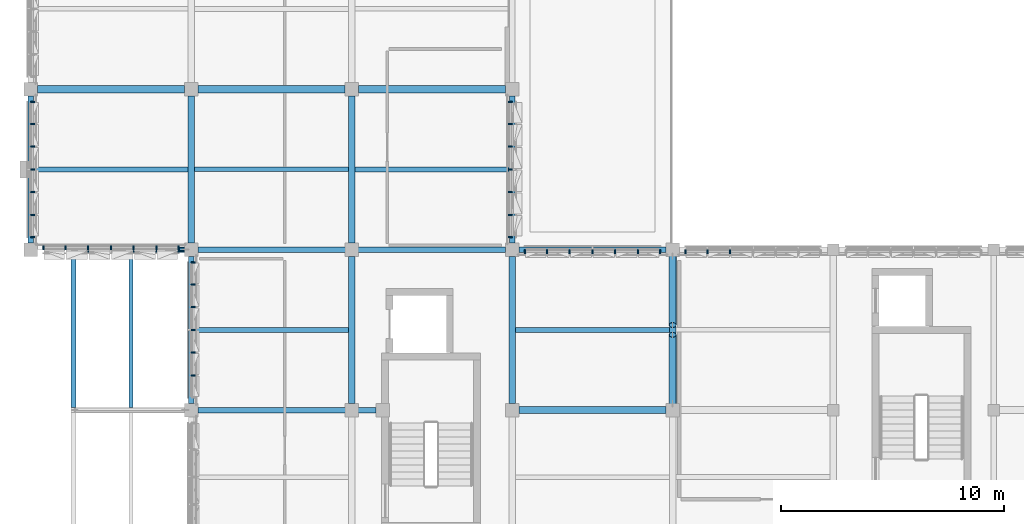
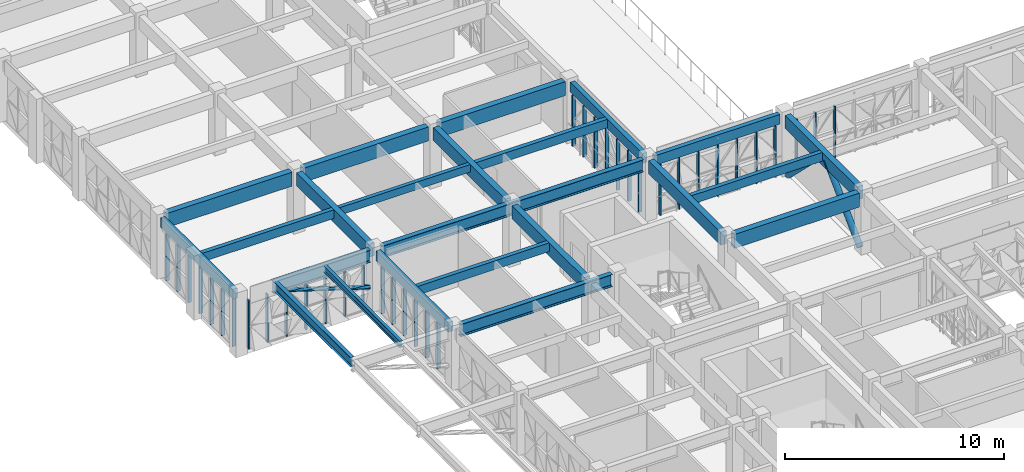
# One storey, part 7 of 99: 40 members, 23 beams, 6 elements without a shape of their own.
"""IFC4 building model written with IfcOpenShell, lengths in metres."""

from ifc_helpers import new_model, si_unit, direction, frame, origin, origin_2d, place, context, subcontext, project, spatial, rectangle, hollow_circle, i_section, extrude, material, material_profile, profile_set, type_object, element, aggregate, save


model = new_model("IFC4")

# Units and contexts
model_context = context("Model", 3, precision=1e-05, world=origin(), true_north=direction((0.0, 1.0)))
body_context = subcontext(model_context, "Body", "Model", "MODEL_VIEW")
ifc_project = project(units=[si_unit("LENGTHUNIT", "METRE"), si_unit("AREAUNIT", "SQUARE_METRE"), si_unit("VOLUMEUNIT", "CUBIC_METRE"), si_unit("PLANEANGLEUNIT", "RADIAN"), si_unit("MASSUNIT", "GRAM", prefix="KILO")], contexts=[model_context])

# Site, building, storey
site_placement = place(None, origin())
site = spatial("IfcSite", under=ifc_project, at=site_placement, CompositionType="ELEMENT")
building_placement = place(site_placement, origin())
building = spatial("IfcBuilding", under=site, at=building_placement, Name="Alvorim Cloister Faculty of Sciences", CompositionType="ELEMENT")
storey_placement = place(building_placement, frame((0.0, 0.0, 12.14990234375)))
storey = spatial("IfcBuildingStorey", under=building, at=storey_placement, Name="L03", CompositionType="ELEMENT", Elevation=12.14990234375)

# Beams
ifc_material_1 = material(Name="Glulam GL32h", Category="wood")
ifc_material_profile_1 = material_profile(ifc_material_1, rectangle(XDim=0.300048828125, YDim=0.719970703125, at=origin_2d()), Name="GL32-BM-300x720")
ifc_profile_set_1 = profile_set([ifc_material_profile_1], Name="Glulam GL32h")
beam_type_1 = type_object("IfcBeamType", Name="BM-GL-300x720", PredefinedType="BEAM", material=ifc_profile_set_1)
for number, where, z_axis, x_axis, name in (
    (1, (7.199951171875, 56.699951171875, 3.030029296875), (0.0, 1.0, 0.0), (-1.0, 0.0, 0.0), "L03 Primary Girder BM-1594"),
    (2, (14.39990234375, 49.5, 3.030029296875), (0.0, 1.0, 0.0), (-1.0, 0.0, 0.0), "L03 Primary Girder BM-1609"),
    (3, (14.39990234375, 56.699951171875, 3.030029296875), (0.0, 1.0, 0.0), (-1.0, 0.0, 0.0), "L03 Primary Girder BM-1610"),
    (4, (21.60009765625, 49.5, 3.030029296875), (0.0, 1.0, 0.0), (-1.0, 0.0, 0.0), "L03 Primary Girder BM-1625"),
    (5, (28.800048828125, 49.5, 3.030029296875), (0.0, 1.0, 0.0), (-1.0, 0.0, 0.0), "L03 Primary Girder BM-1641"),
):
    element("IfcBeam", number, at=place(storey_placement, frame(where, z_axis=z_axis, x_axis=x_axis)), inside=storey, type_object=beam_type_1, Name=name, PredefinedType="BEAM", context=body_context, shape_type="SweptSolid", body=[
        extrude(rectangle(XDim=0.300048828125, YDim=0.719970703125, at=origin_2d()), origin(), (0.0, 0.0, 1.0), 6.60009765625),
    ])
ifc_material_profile_2 = material_profile(ifc_material_1, rectangle(XDim=0.320068359375, YDim=0.780029296875, at=origin_2d()), Name="GL32-BM-320x780")
ifc_profile_set_2 = profile_set([ifc_material_profile_2], Name="Glulam GL32h")
beam_type_2 = type_object("IfcBeamType", Name="BM-GL-320x780", PredefinedType="BEAM", material=ifc_profile_set_2)
beam_1_placement = place(storey_placement, frame((21.89990234375, 49.199951171875, 3.0), z_axis=(1.0, 0.0, 0.0), x_axis=(0.0, 1.0, 0.0)))
element("IfcBeam", 6, at=beam_1_placement, inside=storey, type_object=beam_type_2, Name="L03 Primary Beam BM-1542", PredefinedType="BEAM", context=body_context, shape_type="SweptSolid", body=[
    extrude(rectangle(XDim=0.320068359375, YDim=0.780029296875, at=origin_2d()), origin(), (0.0, 0.0, 1.0), 6.60009765625),
])
beam_2_placement = place(storey_placement, frame((0.300048828125, 63.60009765625, 3.0), z_axis=(1.0, 0.0, 0.0), x_axis=(0.0, 1.0, 0.0)))
element("IfcBeam", 7, at=beam_2_placement, inside=storey, type_object=beam_type_2, Name="L03 Primary Beam BM-1553", PredefinedType="BEAM", context=body_context, shape_type="SweptSolid", body=[
    extrude(rectangle(XDim=0.320068359375, YDim=0.780029296875, at=origin_2d()), origin(), (0.0, 0.0, 1.0), 6.599853515625),
])
for number, where, z_axis, x_axis, name in (
    (8, (7.5, 63.60009765625, 3.0), (1.0, 0.0, 0.0), (0.0, 1.0, 0.0), "L03 Primary Beam BM-1554"),
    (9, (14.699951171875, 63.60009765625, 3.0), (1.0, 0.0, 0.0), (0.0, 1.0, 0.0), "L03 Primary Beam BM-1555"),
):
    element("IfcBeam", number, at=place(storey_placement, frame(where, z_axis=z_axis, x_axis=x_axis)), inside=storey, type_object=beam_type_2, Name=name, PredefinedType="BEAM", context=body_context, shape_type="SweptSolid", body=[
        extrude(rectangle(XDim=0.320068359375, YDim=0.780029296875, at=origin_2d()), origin(), (0.0, 0.0, 1.0), 6.60009765625),
    ])
ifc_material_2 = material(Name="Glulam GL28h", Category="wood")
ifc_material_profile_3 = material_profile(ifc_material_2, rectangle(XDim=0.199951171875, YDim=0.419921875, at=origin_2d()), Name="GL28-JST-200x420")
ifc_profile_set_3 = profile_set([ifc_material_profile_3], Name="Glulam GL28h")
beam_type_3 = type_object("IfcBeamType", Name="BM-JST-GL-200x420", PredefinedType="JOIST", material=ifc_profile_set_3)
beam_3_placement = place(storey_placement, frame((7.35009765625, 60.0, 3.18017578125), z_axis=(1.0, 0.0, 0.0), x_axis=(0.0, 1.0, 0.0)))
element("IfcBeam", 10, at=beam_3_placement, inside=storey, type_object=beam_type_3, Name="L03 Secondary Floor Joist BM-1684", PredefinedType="JOIST", context=body_context, shape_type="SweptSolid", body=[
    extrude(rectangle(XDim=0.199951171875, YDim=0.419921875, at=origin_2d()), origin(), (0.0, 0.0, 1.0), 6.89990234375),
])
ifc_material_profile_4 = material_profile(ifc_material_2, rectangle(XDim=0.219970703125, YDim=0.47998046875, at=origin_2d()), Name="GL28-JST-220x480")
ifc_profile_set_4 = profile_set([ifc_material_profile_4], Name="Glulam GL28h")
beam_type_4 = type_object("IfcBeamType", Name="BM-JST-GL-220x480", PredefinedType="JOIST", material=ifc_profile_set_4)
for number, where, z_axis, x_axis, name in (
    (11, (0.1201171875, 60.0, 3.150146484375), (1.0, 0.0, 0.0), (0.0, 1.0, 0.0), "L03 Secondary Floor Joist BM-1668"),
    (12, (7.320068359375, 52.800048828125, 3.150146484375), (1.0, 0.0, 0.0), (0.0, 1.0, 0.0), "L03 Secondary Floor Joist BM-1683"),
    (13, (14.550048828125, 60.0, 3.150146484375), (1.0, 0.0, 0.0), (0.0, 1.0, 0.0), "L03 Secondary Floor Joist BM-1694"),
):
    element("IfcBeam", number, at=place(storey_placement, frame(where, z_axis=z_axis, x_axis=x_axis)), inside=storey, type_object=beam_type_4, Name=name, PredefinedType="JOIST", context=body_context, shape_type="SweptSolid", body=[
        extrude(rectangle(XDim=0.219970703125, YDim=0.47998046875, at=origin_2d()), origin(), (0.0, 0.0, 1.0), 6.929931640625),
    ])
beam_4_placement = place(storey_placement, frame((21.75, 52.800048828125, 3.150146484375), z_axis=(1.0, 0.0, 0.0), x_axis=(0.0, 1.0, 0.0)))
element("IfcBeam", 14, at=beam_4_placement, inside=storey, type_object=beam_type_4, Name="L03 Secondary Floor Joist BM-1707", PredefinedType="JOIST", context=body_context, shape_type="SweptSolid", body=[
    extrude(rectangle(XDim=0.219970703125, YDim=0.47998046875, at=origin_2d()), origin(), (0.0, 0.0, 1.0), 6.89990234375),
])
ifc_material_profile_5 = material_profile(ifc_material_2, rectangle(XDim=0.239990234375, YDim=0.5400390625, at=origin_2d()), Name="GL28-SPD-240x540")
ifc_profile_set_5 = profile_set([ifc_material_profile_5], Name="Glulam GL28h")
beam_type_5 = type_object("IfcBeamType", Name="BM-SPD-GL-240x540", PredefinedType="SPANDREL", material=ifc_profile_set_5)
for number, where, z_axis, x_axis, name in (
    (15, (21.89990234375, 56.39990234375, 3.1201171875), (1.0, 0.0, 0.0), (0.0, 1.0, 0.0), "L03 Primary Beam BM-1547"),
    (16, (0.0, 56.699951171875, 3.1201171875), (0.0, 1.0, 0.0), (-1.0, 0.0, 0.0), "L03 Primary Girder BM-1578"),
    (17, (7.199951171875, 49.5, 3.1201171875), (0.0, 1.0, 0.0), (-1.0, 0.0, 0.0), "L03 Primary Girder BM-1593"),
    (18, (21.60009765625, 56.699951171875, 3.1201171875), (0.0, 1.0, 0.0), (-1.0, 0.0, 0.0), "L03 Primary Girder BM-1626"),
):
    element("IfcBeam", number, at=place(storey_placement, frame(where, z_axis=z_axis, x_axis=x_axis)), inside=storey, type_object=beam_type_5, Name=name, PredefinedType="SPANDREL", context=body_context, shape_type="SweptSolid", body=[
        extrude(rectangle(XDim=0.239990234375, YDim=0.5400390625, at=origin_2d()), origin(), (0.0, 0.0, 1.0), 6.60009765625),
    ])
ifc_material_3 = material(Name="Steel ASTM A572 Grade 50", Category="steel")
ifc_material_profile_6 = material_profile(ifc_material_3, i_section(OverallWidth=0.1708984375, OverallDepth=0.35498046875, WebThickness=0.007080078125, FlangeThickness=0.01171875, FilletRadius=0.012939453125, at=origin_2d()), Name="W360x51.0")
ifc_profile_set_6 = profile_set([ifc_material_profile_6], Name="Steel ASTM A572 Grade 50")
beam_type_6 = type_object("IfcBeamType", Name="BM-STL-W360", PredefinedType="JOIST", material=ifc_profile_set_6)
beam_5_placement = place(storey_placement, frame((4.5, 49.31005859375, 3.212646484375), z_axis=(0.0, 1.0, 0.0), x_axis=(-1.0, 0.0, 0.0)))
element("IfcBeam", 19, at=beam_5_placement, inside=storey, type_object=beam_type_6, Name="L03 Cantilever Deck Joist BM-0082", PredefinedType="JOIST", context=body_context, shape_type="SweptSolid", body=[
    extrude(i_section(OverallWidth=0.1708984375, OverallDepth=0.35498046875, WebThickness=0.007080078125, FlangeThickness=0.01171875, FilletRadius=0.012939453125, at=origin_2d()), origin(), (0.0, 0.0, 1.0), 6.97998046875),
])
ifc_material_profile_7 = material_profile(ifc_material_3, i_section(OverallWidth=0.208984375, OverallDepth=0.532958984375, WebThickness=0.01025390625, FlangeThickness=0.015625, FilletRadius=0.01611328125, at=origin_2d()), Name="W530x92.0")
ifc_profile_set_7 = profile_set([ifc_material_profile_7], Name="Steel ASTM A572 Grade 50")
beam_type_7 = type_object("IfcBeamType", Name="BM-STL-W530", PredefinedType="BEAM", material=ifc_profile_set_7)
beam_6_placement = place(storey_placement, frame((1.919921875, 49.31005859375, 3.12353515625), z_axis=(0.0, 1.0, 0.0), x_axis=(-1.0, 0.0, 0.0)))
element("IfcBeam", 20, at=beam_6_placement, inside=storey, type_object=beam_type_7, Name="L03 Cantilever Tip Header Girder BM-0081", PredefinedType="BEAM", context=body_context, shape_type="SweptSolid", body=[
    extrude(i_section(OverallWidth=0.208984375, OverallDepth=0.532958984375, WebThickness=0.01025390625, FlangeThickness=0.015625, FilletRadius=0.01611328125, at=origin_2d()), origin(), (0.0, 0.0, 1.0), 6.97998046875),
])
ifc_material_profile_8 = material_profile(ifc_material_3, i_section(OverallWidth=0.25390625, OverallDepth=0.68408203125, WebThickness=0.012451171875, FlangeThickness=0.01904296875, FilletRadius=0.01904296875, at=origin_2d()), Name="W690x140.0")
ifc_profile_set_8 = profile_set([ifc_material_profile_8], Name="Steel ASTM A572 Grade 50")
beam_type_8 = type_object("IfcBeamType", Name="BM-STL-W690", PredefinedType="BEAM", material=ifc_profile_set_8)
beam_7_placement = place(storey_placement, frame((7.5, 49.199951171875, 3.048095703125), z_axis=(1.0, 0.0, 0.0), x_axis=(0.0, 1.0, 0.0)))
element("IfcBeam", 21, at=beam_7_placement, inside=storey, type_object=beam_type_8, Name="L03 Cantilever Backspan Girder BM-0069", PredefinedType="BEAM", context=body_context, shape_type="SweptSolid", body=[
    extrude(i_section(OverallWidth=0.25390625, OverallDepth=0.68408203125, WebThickness=0.012451171875, FlangeThickness=0.01904296875, FilletRadius=0.01904296875, at=origin_2d()), origin(), (0.0, 0.0, 1.0), 8.0),
])
beam_8_placement = place(storey_placement, frame((7.5, 56.39990234375, 3.048095703125), z_axis=(1.0, 0.0, 0.0), x_axis=(0.0, 1.0, 0.0)))
element("IfcBeam", 22, at=beam_8_placement, inside=storey, type_object=beam_type_8, Name="L03 Cantilever Backspan Girder BM-0071", PredefinedType="BEAM", context=body_context, shape_type="SweptSolid", body=[
    extrude(i_section(OverallWidth=0.25390625, OverallDepth=0.68408203125, WebThickness=0.012451171875, FlangeThickness=0.01904296875, FilletRadius=0.01904296875, at=origin_2d()), origin(), (0.0, 0.0, 1.0), 13.800048828125),
])
beam_9_placement = place(storey_placement, frame((1.800048828125, 56.39990234375, 3.048095703125), z_axis=(1.0, 0.0, 0.0), x_axis=(0.0, 1.0, 0.0)))
element("IfcBeam", 23, at=beam_9_placement, inside=storey, type_object=beam_type_8, Name="L03 Cantilever Overhang Girder BM-0072", PredefinedType="BEAM", context=body_context, shape_type="SweptSolid", body=[
    extrude(i_section(OverallWidth=0.25390625, OverallDepth=0.68408203125, WebThickness=0.012451171875, FlangeThickness=0.01904296875, FilletRadius=0.01904296875, at=origin_2d()), origin(), (0.0, 0.0, 1.0), 5.099853515625),
])

# Curtain wall, members
ifc_material_4 = material(Name="Aluminium and Low-E Glass Curtain Wall", Category="aluminium")
curtain_wall_type_1 = type_object("IfcCurtainWallType", Name="CW-TRI-6120x2850", PredefinedType="USERDEFINED", material=ifc_material_4)
curtain_wall_1_placement = place(storey_placement, origin())
curtain_wall_1 = element("IfcCurtainWall", 24, at=curtain_wall_1_placement, inside=storey, type_object=curtain_wall_type_1, Name="L03 Diagonal Cassette Curtain Wall CW-0104", ObjectType="UNITISED CURTAIN WALL", PredefinedType="USERDEFINED")
ifc_material_5 = material(Name="Aluminium Alloy 6063-T6", Category="aluminium")
ifc_material_profile_9 = material_profile(ifc_material_5, rectangle(XDim=0.06494140625, YDim=0.179931640625, at=origin_2d()), Name="ALU-MUL-65x180")
ifc_profile_set_9 = profile_set([ifc_material_profile_9], Name="Aluminium Alloy 6063-T6")
member_type_1 = type_object("IfcMemberType", Name="CW-MUL-65x180", PredefinedType="MULLION", material=ifc_profile_set_9)
member_1_placement = place(storey_placement, frame((7.2900390625, 50.760009765625, 0.0), z_axis=(0.0, 0.0, 1.0), x_axis=(0.0, 1.0, 0.0)))
member_1 = element("IfcMember", 25, at=member_1_placement, type_object=member_type_1, Name="CW-0104 Mullion 2", PredefinedType="MULLION", context=body_context, shape_type="SweptSolid", body=[
    extrude(rectangle(XDim=0.06494140625, YDim=0.179931640625, at=origin_2d()), origin(), (0.0, 0.0, 1.0), 2.85009765625),
])
member_2_placement = place(storey_placement, frame((7.2900390625, 51.780029296875, 0.0), z_axis=(0.0, 0.0, 1.0), x_axis=(0.0, 1.0, 0.0)))
member_2 = element("IfcMember", 26, at=member_2_placement, type_object=member_type_1, Name="CW-0104 Mullion 3", PredefinedType="MULLION", context=body_context, shape_type="SweptSolid", body=[
    extrude(rectangle(XDim=0.06494140625, YDim=0.179931640625, at=origin_2d()), origin(), (0.0, 0.0, 1.0), 2.85009765625),
])
member_3_placement = place(storey_placement, frame((7.2900390625, 52.800048828125, 0.0), z_axis=(0.0, 0.0, 1.0), x_axis=(0.0, 1.0, 0.0)))
member_3 = element("IfcMember", 27, at=member_3_placement, type_object=member_type_1, Name="CW-0104 Mullion 4", PredefinedType="MULLION", context=body_context, shape_type="SweptSolid", body=[
    extrude(rectangle(XDim=0.06494140625, YDim=0.179931640625, at=origin_2d()), origin(), (0.0, 0.0, 1.0), 2.85009765625),
])
member_4_placement = place(storey_placement, frame((7.2900390625, 53.820068359375, 0.0), z_axis=(0.0, 0.0, 1.0), x_axis=(0.0, 1.0, 0.0)))
member_4 = element("IfcMember", 28, at=member_4_placement, type_object=member_type_1, Name="CW-0104 Mullion 5", PredefinedType="MULLION", context=body_context, shape_type="SweptSolid", body=[
    extrude(rectangle(XDim=0.06494140625, YDim=0.179931640625, at=origin_2d()), origin(), (0.0, 0.0, 1.0), 2.85009765625),
])
member_5_placement = place(storey_placement, frame((7.2900390625, 54.840087890625, 0.0), z_axis=(0.0, 0.0, 1.0), x_axis=(0.0, 1.0, 0.0)))
member_5 = element("IfcMember", 29, at=member_5_placement, type_object=member_type_1, Name="CW-0104 Mullion 6", PredefinedType="MULLION", context=body_context, shape_type="SweptSolid", body=[
    extrude(rectangle(XDim=0.06494140625, YDim=0.179931640625, at=origin_2d()), origin(), (0.0, 0.0, 1.0), 2.85009765625),
])
member_6_placement = place(storey_placement, frame((7.2900390625, 55.827392578125, 0.0), z_axis=(0.0, 0.0, 1.0), x_axis=(0.0, 1.0, 0.0)))
member_6 = element("IfcMember", 30, at=member_6_placement, type_object=member_type_1, Name="CW-0104 Mullion 7", PredefinedType="MULLION", context=body_context, shape_type="SweptSolid", body=[
    extrude(rectangle(XDim=0.06494140625, YDim=0.179931640625, at=origin_2d()), origin(), (0.0, 0.0, 1.0), 2.85009765625),
])
aggregate(curtain_wall_1, [member_1, member_2, member_3, member_4, member_5, member_6])

curtain_wall_type_2 = type_object("IfcCurtainWallType", Name="CW-TRI-6120x2706", PredefinedType="USERDEFINED", material=ifc_material_4)
curtain_wall_2_placement = place(storey_placement, origin())
curtain_wall_2 = element("IfcCurtainWall", 31, at=curtain_wall_2_placement, inside=storey, type_object=curtain_wall_type_2, Name="L03 Diagonal Cassette Curtain Wall CW-0105", ObjectType="UNITISED CURTAIN WALL", PredefinedType="USERDEFINED")
member_7_placement = place(storey_placement, frame((0.572509765625, 56.489990234375, 0.0), z_axis=(0.0, 0.0, 1.0), x_axis=(1.0, 0.0, 0.0)))
member_7 = element("IfcMember", 32, at=member_7_placement, type_object=member_type_1, Name="CW-0105 Mullion 1", PredefinedType="MULLION", context=body_context, shape_type="SweptSolid", body=[
    extrude(rectangle(XDim=0.06494140625, YDim=0.179931640625, at=origin_2d()), origin(), (0.0, 0.0, 1.0), 2.7060546875),
])
member_8_placement = place(storey_placement, frame((1.56005859375, 56.489990234375, 0.0), z_axis=(0.0, 0.0, 1.0), x_axis=(1.0, 0.0, 0.0)))
member_8 = element("IfcMember", 33, at=member_8_placement, type_object=member_type_1, Name="CW-0105 Mullion 2", PredefinedType="MULLION", context=body_context, shape_type="SweptSolid", body=[
    extrude(rectangle(XDim=0.06494140625, YDim=0.179931640625, at=origin_2d()), origin(), (0.0, 0.0, 1.0), 2.7060546875),
])
member_9_placement = place(storey_placement, frame((2.580078125, 56.489990234375, 0.0), z_axis=(0.0, 0.0, 1.0), x_axis=(1.0, 0.0, 0.0)))
member_9 = element("IfcMember", 34, at=member_9_placement, type_object=member_type_1, Name="CW-0105 Mullion 3", PredefinedType="MULLION", context=body_context, shape_type="SweptSolid", body=[
    extrude(rectangle(XDim=0.06494140625, YDim=0.179931640625, at=origin_2d()), origin(), (0.0, 0.0, 1.0), 2.7060546875),
])
member_10_placement = place(storey_placement, frame((3.60009765625, 56.489990234375, 0.0), z_axis=(0.0, 0.0, 1.0), x_axis=(1.0, 0.0, 0.0)))
member_10 = element("IfcMember", 35, at=member_10_placement, type_object=member_type_1, Name="CW-0105 Mullion 4", PredefinedType="MULLION", context=body_context, shape_type="SweptSolid", body=[
    extrude(rectangle(XDim=0.06494140625, YDim=0.179931640625, at=origin_2d()), origin(), (0.0, 0.0, 1.0), 2.7060546875),
])
member_11_placement = place(storey_placement, frame((4.6201171875, 56.489990234375, 0.0), z_axis=(0.0, 0.0, 1.0), x_axis=(1.0, 0.0, 0.0)))
member_11 = element("IfcMember", 36, at=member_11_placement, type_object=member_type_1, Name="CW-0105 Mullion 5", PredefinedType="MULLION", context=body_context, shape_type="SweptSolid", body=[
    extrude(rectangle(XDim=0.06494140625, YDim=0.179931640625, at=origin_2d()), origin(), (0.0, 0.0, 1.0), 2.7060546875),
])
member_12_placement = place(storey_placement, frame((5.639892578125, 56.489990234375, 0.0), z_axis=(0.0, 0.0, 1.0), x_axis=(1.0, 0.0, 0.0)))
member_12 = element("IfcMember", 37, at=member_12_placement, type_object=member_type_1, Name="CW-0105 Mullion 6", PredefinedType="MULLION", context=body_context, shape_type="SweptSolid", body=[
    extrude(rectangle(XDim=0.06494140625, YDim=0.179931640625, at=origin_2d()), origin(), (0.0, 0.0, 1.0), 2.7060546875),
])
member_13_placement = place(storey_placement, frame((6.62744140625, 56.489990234375, 0.0), z_axis=(0.0, 0.0, 1.0), x_axis=(1.0, 0.0, 0.0)))
member_13 = element("IfcMember", 38, at=member_13_placement, type_object=member_type_1, Name="CW-0105 Mullion 7", PredefinedType="MULLION", context=body_context, shape_type="SweptSolid", body=[
    extrude(rectangle(XDim=0.06494140625, YDim=0.179931640625, at=origin_2d()), origin(), (0.0, 0.0, 1.0), 2.7060546875),
])
aggregate(curtain_wall_2, [member_7, member_8, member_9, member_10, member_11, member_12, member_13])

curtain_wall_3_placement = place(storey_placement, origin())
curtain_wall_3 = element("IfcCurtainWall", 39, at=curtain_wall_3_placement, inside=storey, type_object=curtain_wall_type_1, Name="L03 Diagonal Cassette Curtain Wall CW-0106", ObjectType="UNITISED CURTAIN WALL", PredefinedType="USERDEFINED")
member_14_placement = place(storey_placement, frame((0.090087890625, 56.972412109375, 0.0), z_axis=(0.0, 0.0, 1.0), x_axis=(0.0, 1.0, 0.0)))
member_14 = element("IfcMember", 40, at=member_14_placement, type_object=member_type_1, Name="CW-0106 Mullion 1", PredefinedType="MULLION", context=body_context, shape_type="SweptSolid", body=[
    extrude(rectangle(XDim=0.06494140625, YDim=0.179931640625, at=origin_2d()), origin(), (0.0, 0.0, 1.0), 2.85009765625),
])
member_15_placement = place(storey_placement, frame((0.090087890625, 57.9599609375, 0.0), z_axis=(0.0, 0.0, 1.0), x_axis=(0.0, 1.0, 0.0)))
member_15 = element("IfcMember", 41, at=member_15_placement, type_object=member_type_1, Name="CW-0106 Mullion 2", PredefinedType="MULLION", context=body_context, shape_type="SweptSolid", body=[
    extrude(rectangle(XDim=0.06494140625, YDim=0.179931640625, at=origin_2d()), origin(), (0.0, 0.0, 1.0), 2.85009765625),
])
member_16_placement = place(storey_placement, frame((0.090087890625, 58.97998046875, 0.0), z_axis=(0.0, 0.0, 1.0), x_axis=(0.0, 1.0, 0.0)))
member_16 = element("IfcMember", 42, at=member_16_placement, type_object=member_type_1, Name="CW-0106 Mullion 3", PredefinedType="MULLION", context=body_context, shape_type="SweptSolid", body=[
    extrude(rectangle(XDim=0.06494140625, YDim=0.179931640625, at=origin_2d()), origin(), (0.0, 0.0, 1.0), 2.85009765625),
])
member_17_placement = place(storey_placement, frame((0.090087890625, 60.0, 0.0), z_axis=(0.0, 0.0, 1.0), x_axis=(0.0, 1.0, 0.0)))
member_17 = element("IfcMember", 43, at=member_17_placement, type_object=member_type_1, Name="CW-0106 Mullion 4", PredefinedType="MULLION", context=body_context, shape_type="SweptSolid", body=[
    extrude(rectangle(XDim=0.06494140625, YDim=0.179931640625, at=origin_2d()), origin(), (0.0, 0.0, 1.0), 2.85009765625),
])
member_18_placement = place(storey_placement, frame((0.090087890625, 61.02001953125, 0.0), z_axis=(0.0, 0.0, 1.0), x_axis=(0.0, 1.0, 0.0)))
member_18 = element("IfcMember", 44, at=member_18_placement, type_object=member_type_1, Name="CW-0106 Mullion 5", PredefinedType="MULLION", context=body_context, shape_type="SweptSolid", body=[
    extrude(rectangle(XDim=0.06494140625, YDim=0.179931640625, at=origin_2d()), origin(), (0.0, 0.0, 1.0), 2.85009765625),
])
member_19_placement = place(storey_placement, frame((0.090087890625, 62.0400390625, 0.0), z_axis=(0.0, 0.0, 1.0), x_axis=(0.0, 1.0, 0.0)))
member_19 = element("IfcMember", 45, at=member_19_placement, type_object=member_type_1, Name="CW-0106 Mullion 6", PredefinedType="MULLION", context=body_context, shape_type="SweptSolid", body=[
    extrude(rectangle(XDim=0.06494140625, YDim=0.179931640625, at=origin_2d()), origin(), (0.0, 0.0, 1.0), 2.85009765625),
])
member_20_placement = place(storey_placement, frame((0.090087890625, 63.027587890625, 0.0), z_axis=(0.0, 0.0, 1.0), x_axis=(0.0, 1.0, 0.0)))
member_20 = element("IfcMember", 46, at=member_20_placement, type_object=member_type_1, Name="CW-0106 Mullion 7", PredefinedType="MULLION", context=body_context, shape_type="SweptSolid", body=[
    extrude(rectangle(XDim=0.06494140625, YDim=0.179931640625, at=origin_2d()), origin(), (0.0, 0.0, 1.0), 2.85009765625),
])
aggregate(curtain_wall_3, [member_14, member_15, member_16, member_17, member_18, member_19, member_20])

curtain_wall_4_placement = place(storey_placement, origin())
curtain_wall_4 = element("IfcCurtainWall", 47, at=curtain_wall_4_placement, inside=storey, type_object=curtain_wall_type_1, Name="L03 Diagonal Cassette Curtain Wall CW-0123", ObjectType="UNITISED CURTAIN WALL", PredefinedType="USERDEFINED")
member_21_placement = place(storey_placement, frame((21.510009765625, 56.972412109375, 0.0), z_axis=(0.0, 0.0, 1.0), x_axis=(0.0, 1.0, 0.0)))
member_21 = element("IfcMember", 48, at=member_21_placement, type_object=member_type_1, Name="CW-0123 Mullion 1", PredefinedType="MULLION", context=body_context, shape_type="SweptSolid", body=[
    extrude(rectangle(XDim=0.06494140625, YDim=0.179931640625, at=origin_2d()), origin(), (0.0, 0.0, 1.0), 2.85009765625),
])
member_22_placement = place(storey_placement, frame((21.510009765625, 57.9599609375, 0.0), z_axis=(0.0, 0.0, 1.0), x_axis=(0.0, 1.0, 0.0)))
member_22 = element("IfcMember", 49, at=member_22_placement, type_object=member_type_1, Name="CW-0123 Mullion 2", PredefinedType="MULLION", context=body_context, shape_type="SweptSolid", body=[
    extrude(rectangle(XDim=0.06494140625, YDim=0.179931640625, at=origin_2d()), origin(), (0.0, 0.0, 1.0), 2.85009765625),
])
member_23_placement = place(storey_placement, frame((21.510009765625, 58.97998046875, 0.0), z_axis=(0.0, 0.0, 1.0), x_axis=(0.0, 1.0, 0.0)))
member_23 = element("IfcMember", 50, at=member_23_placement, type_object=member_type_1, Name="CW-0123 Mullion 3", PredefinedType="MULLION", context=body_context, shape_type="SweptSolid", body=[
    extrude(rectangle(XDim=0.06494140625, YDim=0.179931640625, at=origin_2d()), origin(), (0.0, 0.0, 1.0), 2.85009765625),
])
member_24_placement = place(storey_placement, frame((21.510009765625, 60.0, 0.0), z_axis=(0.0, 0.0, 1.0), x_axis=(0.0, 1.0, 0.0)))
member_24 = element("IfcMember", 51, at=member_24_placement, type_object=member_type_1, Name="CW-0123 Mullion 4", PredefinedType="MULLION", context=body_context, shape_type="SweptSolid", body=[
    extrude(rectangle(XDim=0.06494140625, YDim=0.179931640625, at=origin_2d()), origin(), (0.0, 0.0, 1.0), 2.85009765625),
])
member_25_placement = place(storey_placement, frame((21.510009765625, 61.02001953125, 0.0), z_axis=(0.0, 0.0, 1.0), x_axis=(0.0, 1.0, 0.0)))
member_25 = element("IfcMember", 52, at=member_25_placement, type_object=member_type_1, Name="CW-0123 Mullion 5", PredefinedType="MULLION", context=body_context, shape_type="SweptSolid", body=[
    extrude(rectangle(XDim=0.06494140625, YDim=0.179931640625, at=origin_2d()), origin(), (0.0, 0.0, 1.0), 2.85009765625),
])
member_26_placement = place(storey_placement, frame((21.510009765625, 62.0400390625, 0.0), z_axis=(0.0, 0.0, 1.0), x_axis=(0.0, 1.0, 0.0)))
member_26 = element("IfcMember", 53, at=member_26_placement, type_object=member_type_1, Name="CW-0123 Mullion 6", PredefinedType="MULLION", context=body_context, shape_type="SweptSolid", body=[
    extrude(rectangle(XDim=0.06494140625, YDim=0.179931640625, at=origin_2d()), origin(), (0.0, 0.0, 1.0), 2.85009765625),
])
member_27_placement = place(storey_placement, frame((21.510009765625, 63.027587890625, 0.0), z_axis=(0.0, 0.0, 1.0), x_axis=(0.0, 1.0, 0.0)))
member_27 = element("IfcMember", 54, at=member_27_placement, type_object=member_type_1, Name="CW-0123 Mullion 7", PredefinedType="MULLION", context=body_context, shape_type="SweptSolid", body=[
    extrude(rectangle(XDim=0.06494140625, YDim=0.179931640625, at=origin_2d()), origin(), (0.0, 0.0, 1.0), 2.85009765625),
])
aggregate(curtain_wall_4, [member_21, member_22, member_23, member_24, member_25, member_26, member_27])

curtain_wall_5_placement = place(storey_placement, origin())
curtain_wall_5 = element("IfcCurtainWall", 55, at=curtain_wall_5_placement, inside=storey, type_object=curtain_wall_type_1, Name="L03 Diagonal Cassette Curtain Wall CW-0124", ObjectType="UNITISED CURTAIN WALL", PredefinedType="USERDEFINED")
member_28_placement = place(storey_placement, frame((22.172607421875, 56.31005859375, 0.0), z_axis=(0.0, 0.0, 1.0), x_axis=(1.0, 0.0, 0.0)))
member_28 = element("IfcMember", 56, at=member_28_placement, type_object=member_type_1, Name="CW-0124 Mullion 1", PredefinedType="MULLION", context=body_context, shape_type="SweptSolid", body=[
    extrude(rectangle(XDim=0.06494140625, YDim=0.179931640625, at=origin_2d()), origin(), (0.0, 0.0, 1.0), 2.85009765625),
])
member_29_placement = place(storey_placement, frame((23.159912109375, 56.31005859375, 0.0), z_axis=(0.0, 0.0, 1.0), x_axis=(1.0, 0.0, 0.0)))
member_29 = element("IfcMember", 57, at=member_29_placement, type_object=member_type_1, Name="CW-0124 Mullion 2", PredefinedType="MULLION", context=body_context, shape_type="SweptSolid", body=[
    extrude(rectangle(XDim=0.06494140625, YDim=0.179931640625, at=origin_2d()), origin(), (0.0, 0.0, 1.0), 2.85009765625),
])
member_30_placement = place(storey_placement, frame((24.179931640625, 56.31005859375, 0.0), z_axis=(0.0, 0.0, 1.0), x_axis=(1.0, 0.0, 0.0)))
member_30 = element("IfcMember", 58, at=member_30_placement, type_object=member_type_1, Name="CW-0124 Mullion 3", PredefinedType="MULLION", context=body_context, shape_type="SweptSolid", body=[
    extrude(rectangle(XDim=0.06494140625, YDim=0.179931640625, at=origin_2d()), origin(), (0.0, 0.0, 1.0), 2.85009765625),
])
member_31_placement = place(storey_placement, frame((25.199951171875, 56.31005859375, 0.0), z_axis=(0.0, 0.0, 1.0), x_axis=(1.0, 0.0, 0.0)))
member_31 = element("IfcMember", 59, at=member_31_placement, type_object=member_type_1, Name="CW-0124 Mullion 4", PredefinedType="MULLION", context=body_context, shape_type="SweptSolid", body=[
    extrude(rectangle(XDim=0.06494140625, YDim=0.179931640625, at=origin_2d()), origin(), (0.0, 0.0, 1.0), 2.85009765625),
])
member_32_placement = place(storey_placement, frame((26.219970703125, 56.31005859375, 0.0), z_axis=(0.0, 0.0, 1.0), x_axis=(1.0, 0.0, 0.0)))
member_32 = element("IfcMember", 60, at=member_32_placement, type_object=member_type_1, Name="CW-0124 Mullion 5", PredefinedType="MULLION", context=body_context, shape_type="SweptSolid", body=[
    extrude(rectangle(XDim=0.06494140625, YDim=0.179931640625, at=origin_2d()), origin(), (0.0, 0.0, 1.0), 2.85009765625),
])
member_33_placement = place(storey_placement, frame((27.239990234375, 56.31005859375, 0.0), z_axis=(0.0, 0.0, 1.0), x_axis=(1.0, 0.0, 0.0)))
member_33 = element("IfcMember", 61, at=member_33_placement, type_object=member_type_1, Name="CW-0124 Mullion 6", PredefinedType="MULLION", context=body_context, shape_type="SweptSolid", body=[
    extrude(rectangle(XDim=0.06494140625, YDim=0.179931640625, at=origin_2d()), origin(), (0.0, 0.0, 1.0), 2.85009765625),
])
member_34_placement = place(storey_placement, frame((28.2275390625, 56.31005859375, 0.0), z_axis=(0.0, 0.0, 1.0), x_axis=(1.0, 0.0, 0.0)))
member_34 = element("IfcMember", 62, at=member_34_placement, type_object=member_type_1, Name="CW-0124 Mullion 7", PredefinedType="MULLION", context=body_context, shape_type="SweptSolid", body=[
    extrude(rectangle(XDim=0.06494140625, YDim=0.179931640625, at=origin_2d()), origin(), (0.0, 0.0, 1.0), 2.85009765625),
])
aggregate(curtain_wall_5, [member_28, member_29, member_30, member_31, member_32, member_33, member_34])

curtain_wall_6_placement = place(storey_placement, origin())
curtain_wall_6 = element("IfcCurtainWall", 63, at=curtain_wall_6_placement, inside=storey, type_object=curtain_wall_type_1, Name="L03 Diagonal Cassette Curtain Wall CW-0125", ObjectType="UNITISED CURTAIN WALL", PredefinedType="USERDEFINED")
member_35_placement = place(storey_placement, frame((29.37255859375, 56.31005859375, 0.0), z_axis=(0.0, 0.0, 1.0), x_axis=(1.0, 0.0, 0.0)))
member_35 = element("IfcMember", 64, at=member_35_placement, type_object=member_type_1, Name="CW-0125 Mullion 1", PredefinedType="MULLION", context=body_context, shape_type="SweptSolid", body=[
    extrude(rectangle(XDim=0.06494140625, YDim=0.179931640625, at=origin_2d()), origin(), (0.0, 0.0, 1.0), 2.85009765625),
])
member_36_placement = place(storey_placement, frame((30.360107421875, 56.31005859375, 0.0), z_axis=(0.0, 0.0, 1.0), x_axis=(1.0, 0.0, 0.0)))
member_36 = element("IfcMember", 65, at=member_36_placement, type_object=member_type_1, Name="CW-0125 Mullion 2", PredefinedType="MULLION", context=body_context, shape_type="SweptSolid", body=[
    extrude(rectangle(XDim=0.06494140625, YDim=0.179931640625, at=origin_2d()), origin(), (0.0, 0.0, 1.0), 2.85009765625),
])
member_37_placement = place(storey_placement, frame((31.3798828125, 56.31005859375, 0.0), z_axis=(0.0, 0.0, 1.0), x_axis=(1.0, 0.0, 0.0)))
member_37 = element("IfcMember", 66, at=member_37_placement, type_object=member_type_1, Name="CW-0125 Mullion 3", PredefinedType="MULLION", context=body_context, shape_type="SweptSolid", body=[
    extrude(rectangle(XDim=0.06494140625, YDim=0.179931640625, at=origin_2d()), origin(), (0.0, 0.0, 1.0), 2.85009765625),
])
aggregate(curtain_wall_6, [member_35, member_36, member_37])

# Members
ifc_material_profile_10 = material_profile(ifc_material_3, hollow_circle(Radius=0.109619140625, WallThickness=0.010009765625, at=origin_2d()), Name="CHS219.1x10")
ifc_profile_set_10 = profile_set([ifc_material_profile_10], Name="Steel ASTM A572 Grade 50")
member_type_2 = type_object("IfcMemberType", Name="MB-BRC-CHS219", PredefinedType="BRACE", material=ifc_profile_set_10)
member_38_placement = place(storey_placement, frame((6.919921875, 56.39990234375, 1.25), z_axis=(-0.953578391509, 0.0, 0.301144900748), x_axis=(0.0, -1.0, 0.0)))
element("IfcMember", 67, at=member_38_placement, inside=storey, type_object=member_type_2, Name="L03 Cantilever Raker Strut MB-0012", PredefinedType="BRACE", context=body_context, shape_type="SweptSolid", body=[
    extrude(hollow_circle(Radius=0.109619140625, WallThickness=0.010009765625, at=origin_2d()), origin(), (0.0, 0.0, 1.0), 5.180419921875),
])
ifc_material_profile_11 = material_profile(ifc_material_3, hollow_circle(Radius=0.161865234375, WallThickness=0.012451171875, at=origin_2d()), Name="CHS323.9x12.5")
ifc_profile_set_11 = profile_set([ifc_material_profile_11], Name="Steel ASTM A572 Grade 50")
member_type_3 = type_object("IfcMemberType", Name="MB-BRC-CHS323", PredefinedType="BRACE", material=ifc_profile_set_11)
for number, where, z_axis, x_axis, name in (
    (68, (28.800048828125, 49.5, 0.0), (0.0, 0.712874886643, 0.701291234791), (-1.0, 0.0, 0.0), "L03 Lateral Chevron Brace MB-0032"),
    (69, (28.800048828125, 56.10009765625, 0.0), (0.0, -0.712874886643, 0.701291234791), (1.0, 0.0, 0.0), "L03 Lateral Chevron Brace MB-0033"),
):
    element("IfcMember", number, at=place(storey_placement, frame(where, z_axis=z_axis, x_axis=x_axis)), inside=storey, type_object=member_type_3, Name=name, PredefinedType="BRACE", context=body_context, shape_type="SweptSolid", body=[
        extrude(hollow_circle(Radius=0.161865234375, WallThickness=0.012451171875, at=origin_2d()), origin(), (0.0, 0.0, 1.0), 4.320556640625),
    ])

save(model, "model.ifc")
